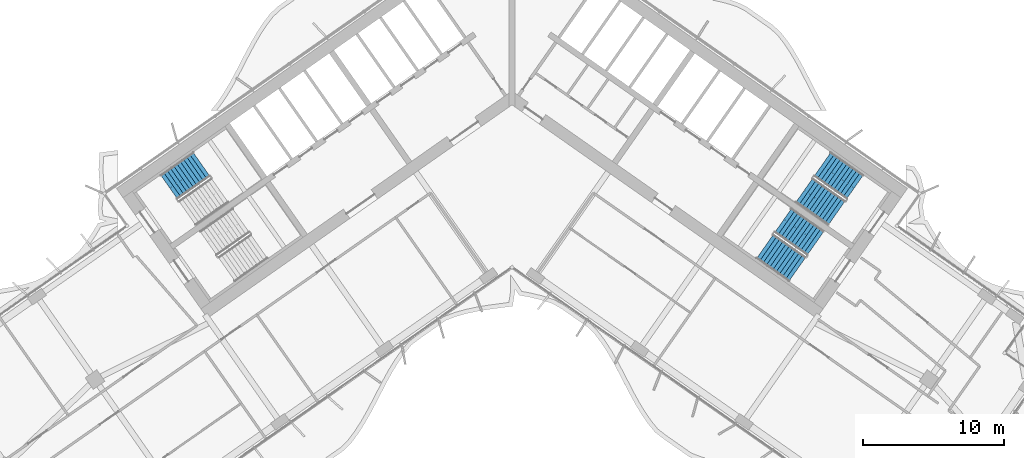
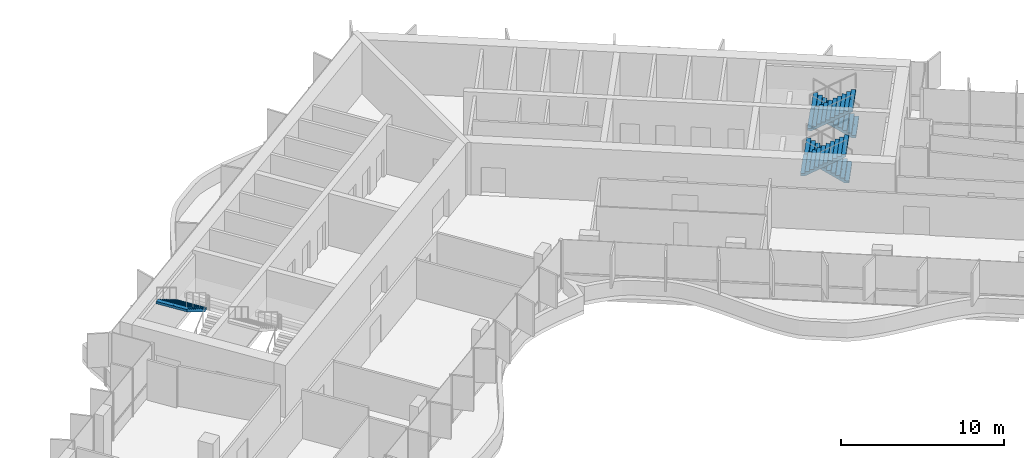
# One storey, part 16 of 21: 5 stair flights, 3 elements without a shape of their own.
"""IFC4 building model written with IfcOpenShell, lengths in metres."""

from ifc_helpers import new_model, si_unit, direction, frame, origin, place, context, subcontext, project, spatial, polyline, outline, extrude, material, type_object, element, aggregate, save


model = new_model("IFC4")

# Units and contexts
model_context = context("Model", 3, precision=1e-05, world=origin(), true_north=direction((0.0, 1.0)))
body_context = subcontext(model_context, "Body", "Model", "MODEL_VIEW")
ifc_project = project(units=[si_unit("LENGTHUNIT", "METRE"), si_unit("AREAUNIT", "SQUARE_METRE"), si_unit("VOLUMEUNIT", "CUBIC_METRE"), si_unit("PLANEANGLEUNIT", "RADIAN"), si_unit("MASSUNIT", "GRAM", prefix="KILO")], contexts=[model_context])

# Site, building, storey
site_placement = place(None, origin())
site = spatial("IfcSite", under=ifc_project, at=site_placement, CompositionType="ELEMENT")
building_placement = place(site_placement, origin())
building = spatial("IfcBuilding", under=site, at=building_placement, Name="Tel Ilan Convention Tower", CompositionType="ELEMENT")
storey_placement = place(building_placement, frame((0.0, 0.0, 151.5)))
storey = spatial("IfcBuildingStorey", under=building, at=storey_placement, Name="L34", CompositionType="ELEMENT", Elevation=151.5)

# Stair, stair flight
ifc_material_1 = material(Name="Concrete C40/50", Category="concrete")
stair_type = type_object("IfcStairType", Name="Pressurised Exit Stair 22 risers 177 mm", PredefinedType="HALF_TURN_STAIR", material=ifc_material_1)
stair_1_placement = place(storey_placement, origin())
stair_1 = element("IfcStair", 1, at=stair_1_placement, inside=storey, type_object=stair_type, Name="L34 Pressurised Stair S1", PredefinedType="HALF_TURN_STAIR")
ifc_material_2 = material(Name="Precast Concrete C40/50", Category="concrete")
stair_flight_type = type_object("IfcStairFlightType", Name="Concrete Stair Flight 2100 mm 22 risers 177 mm", PredefinedType="STRAIGHT", material=ifc_material_2)
stair_flight_1_placement = place(storey_placement, frame((-21.958740234375, -5.42626953125, 1.949951171875), z_axis=(0.0, 0.0, 1.0), x_axis=(-0.819152044289, -0.573576436351, 0.0)))
stair_flight_1 = element("IfcStairFlight", 2, at=stair_flight_1_placement, type_object=stair_flight_type, Name="S1 flight 2", NumberOfRisers=11, NumberOfTreads=10, PredefinedType="STRAIGHT", RiserHeight=0.177272727, TreadLength=0.28, context=body_context, shape_type="SweptSolid", body=[
    extrude(outline(polyline([(0.0, 0.0), (0.0, 0.17724609375), (0.280029296875, 0.17724609375), (0.280029296875, 0.3544921875), (0.56005859375, 0.3544921875), (0.56005859375, 0.53173828125), (0.840087890625, 0.53173828125), (0.840087890625, 0.708984375), (1.1201171875, 0.708984375), (1.1201171875, 0.886474609375), (1.39990234375, 0.886474609375), (1.39990234375, 1.063720703125), (1.679931640625, 1.063720703125), (1.679931640625, 1.240966796875), (1.9599609375, 1.240966796875), (1.9599609375, 1.418212890625), (2.239990234375, 1.418212890625), (2.239990234375, 1.595458984375), (2.52001953125, 1.595458984375), (2.52001953125, 1.772705078125), (2.800048828125, 1.772705078125), (2.800048828125, 1.949951171875), (2.800048828125, 1.59521484375), (0.2802734375, 0.0), (0.0, 0.0)])), frame((0.0, -0.100341796875, 0.0), z_axis=(0.0, -1.0, 0.0), x_axis=(1.0, 0.0, 0.0)), (0.0, 0.0, 1.0), 0.94970703125),
    extrude(outline(polyline([(0.0, 0.0), (0.0, 0.17724609375), (0.280029296875, 0.17724609375), (0.280029296875, 0.3544921875), (0.56005859375, 0.3544921875), (0.56005859375, 0.53173828125), (0.840087890625, 0.53173828125), (0.840087890625, 0.708984375), (1.1201171875, 0.708984375), (1.1201171875, 0.886474609375), (1.39990234375, 0.886474609375), (1.39990234375, 1.063720703125), (1.679931640625, 1.063720703125), (1.679931640625, 1.240966796875), (1.9599609375, 1.240966796875), (1.9599609375, 1.418212890625), (2.239990234375, 1.418212890625), (2.239990234375, 1.595458984375), (2.52001953125, 1.595458984375), (2.52001953125, 1.772705078125), (2.800048828125, 1.772705078125), (2.800048828125, 1.949951171875), (2.800048828125, 1.59521484375), (0.2802734375, 0.0), (0.0, 0.0)])), frame((0.0, -0.000244140625, 0.0), z_axis=(0.0, -1.0, 0.0), x_axis=(1.0, 0.0, 0.0)), (0.0, 0.0, 1.0), 0.099609375),
    extrude(outline(polyline([(0.0, 0.0), (0.0, 0.17724609375), (0.280029296875, 0.17724609375), (0.280029296875, 0.3544921875), (0.56005859375, 0.3544921875), (0.56005859375, 0.53173828125), (0.840087890625, 0.53173828125), (0.840087890625, 0.708984375), (1.1201171875, 0.708984375), (1.1201171875, 0.886474609375), (1.39990234375, 0.886474609375), (1.39990234375, 1.063720703125), (1.679931640625, 1.063720703125), (1.679931640625, 1.240966796875), (1.9599609375, 1.240966796875), (1.9599609375, 1.418212890625), (2.239990234375, 1.418212890625), (2.239990234375, 1.595458984375), (2.52001953125, 1.595458984375), (2.52001953125, 1.772705078125), (2.800048828125, 1.772705078125), (2.800048828125, 1.949951171875), (2.800048828125, 1.59521484375), (0.2802734375, 0.0), (0.0, 0.0)])), frame((0.0, 0.099853515625, 0.0), z_axis=(0.0, -1.0, 0.0), x_axis=(1.0, 0.0, 0.0)), (0.0, 0.0, 1.0), 0.099609375),
    extrude(outline(polyline([(0.0, 0.0), (0.0, 0.17724609375), (0.280029296875, 0.17724609375), (0.280029296875, 0.3544921875), (0.56005859375, 0.3544921875), (0.56005859375, 0.53173828125), (0.840087890625, 0.53173828125), (0.840087890625, 0.708984375), (1.1201171875, 0.708984375), (1.1201171875, 0.886474609375), (1.39990234375, 0.886474609375), (1.39990234375, 1.063720703125), (1.679931640625, 1.063720703125), (1.679931640625, 1.240966796875), (1.9599609375, 1.240966796875), (1.9599609375, 1.418212890625), (2.239990234375, 1.418212890625), (2.239990234375, 1.595458984375), (2.52001953125, 1.595458984375), (2.52001953125, 1.772705078125), (2.800048828125, 1.772705078125), (2.800048828125, 1.949951171875), (2.800048828125, 1.59521484375), (0.2802734375, 0.0), (0.0, 0.0)])), frame((0.0, 1.050048828125, 0.0), z_axis=(0.0, -1.0, 0.0), x_axis=(1.0, 0.0, 0.0)), (0.0, 0.0, 1.0), 0.94970703125),
])
aggregate(stair_1, [stair_flight_1])

# Stair, stair flights
stair_2_placement = place(storey_placement, origin())
stair_2 = element("IfcStair", 3, at=stair_2_placement, inside=storey, type_object=stair_type, Name="L34 Pressurised Stair S3", PredefinedType="HALF_TURN_STAIR")
stair_flight_2_placement = place(storey_placement, frame((24.25244140625, -7.032470703125, 0.0), z_axis=(0.0, 0.0, 1.0), x_axis=(-0.819152044289, 0.573576436351, 0.0)))
stair_flight_2 = element("IfcStairFlight", 4, at=stair_flight_2_placement, type_object=stair_flight_type, Name="S3 flight 1", NumberOfRisers=11, NumberOfTreads=10, PredefinedType="STRAIGHT", RiserHeight=0.177272727, TreadLength=0.28, context=body_context, shape_type="SweptSolid", body=[
    extrude(outline(polyline([(0.0, 0.0), (0.0, 0.17724609375), (0.280029296875, 0.17724609375), (0.280029296875, 0.3544921875), (0.56005859375, 0.3544921875), (0.56005859375, 0.53173828125), (0.840087890625, 0.53173828125), (0.840087890625, 0.708984375), (1.1201171875, 0.708984375), (1.1201171875, 0.886474609375), (1.39990234375, 0.886474609375), (1.39990234375, 1.063720703125), (1.679931640625, 1.063720703125), (1.679931640625, 1.240966796875), (1.9599609375, 1.240966796875), (1.9599609375, 1.418212890625), (2.239990234375, 1.418212890625), (2.239990234375, 1.595458984375), (2.52001953125, 1.595458984375), (2.52001953125, 1.772705078125), (2.800048828125, 1.772705078125), (2.800048828125, 1.949951171875), (2.800048828125, 1.59521484375), (0.2802734375, 0.0), (0.0, 0.0)])), frame((0.0, -0.100341796875, 0.0), z_axis=(0.0, -1.0, 0.0), x_axis=(1.0, 0.0, 0.0)), (0.0, 0.0, 1.0), 0.94970703125),
    extrude(outline(polyline([(0.0, 0.0), (0.0, 0.17724609375), (0.280029296875, 0.17724609375), (0.280029296875, 0.3544921875), (0.56005859375, 0.3544921875), (0.56005859375, 0.53173828125), (0.840087890625, 0.53173828125), (0.840087890625, 0.708984375), (1.1201171875, 0.708984375), (1.1201171875, 0.886474609375), (1.39990234375, 0.886474609375), (1.39990234375, 1.063720703125), (1.679931640625, 1.063720703125), (1.679931640625, 1.240966796875), (1.9599609375, 1.240966796875), (1.9599609375, 1.418212890625), (2.239990234375, 1.418212890625), (2.239990234375, 1.595458984375), (2.52001953125, 1.595458984375), (2.52001953125, 1.772705078125), (2.800048828125, 1.772705078125), (2.800048828125, 1.949951171875), (2.800048828125, 1.59521484375), (0.2802734375, 0.0), (0.0, 0.0)])), frame((0.0, -0.000244140625, 0.0), z_axis=(0.0, -1.0, 0.0), x_axis=(1.0, 0.0, 0.0)), (0.0, 0.0, 1.0), 0.099609375),
    extrude(outline(polyline([(0.0, 0.0), (0.0, 0.17724609375), (0.280029296875, 0.17724609375), (0.280029296875, 0.3544921875), (0.56005859375, 0.3544921875), (0.56005859375, 0.53173828125), (0.840087890625, 0.53173828125), (0.840087890625, 0.708984375), (1.1201171875, 0.708984375), (1.1201171875, 0.886474609375), (1.39990234375, 0.886474609375), (1.39990234375, 1.063720703125), (1.679931640625, 1.063720703125), (1.679931640625, 1.240966796875), (1.9599609375, 1.240966796875), (1.9599609375, 1.418212890625), (2.239990234375, 1.418212890625), (2.239990234375, 1.595458984375), (2.52001953125, 1.595458984375), (2.52001953125, 1.772705078125), (2.800048828125, 1.772705078125), (2.800048828125, 1.949951171875), (2.800048828125, 1.59521484375), (0.2802734375, 0.0), (0.0, 0.0)])), frame((0.0, 0.099853515625, 0.0), z_axis=(0.0, -1.0, 0.0), x_axis=(1.0, 0.0, 0.0)), (0.0, 0.0, 1.0), 0.099609375),
    extrude(outline(polyline([(0.0, 0.0), (0.0, 0.17724609375), (0.280029296875, 0.17724609375), (0.280029296875, 0.3544921875), (0.56005859375, 0.3544921875), (0.56005859375, 0.53173828125), (0.840087890625, 0.53173828125), (0.840087890625, 0.708984375), (1.1201171875, 0.708984375), (1.1201171875, 0.886474609375), (1.39990234375, 0.886474609375), (1.39990234375, 1.063720703125), (1.679931640625, 1.063720703125), (1.679931640625, 1.240966796875), (1.9599609375, 1.240966796875), (1.9599609375, 1.418212890625), (2.239990234375, 1.418212890625), (2.239990234375, 1.595458984375), (2.52001953125, 1.595458984375), (2.52001953125, 1.772705078125), (2.800048828125, 1.772705078125), (2.800048828125, 1.949951171875), (2.800048828125, 1.59521484375), (0.2802734375, 0.0), (0.0, 0.0)])), frame((0.0, 1.050048828125, 0.0), z_axis=(0.0, -1.0, 0.0), x_axis=(1.0, 0.0, 0.0)), (0.0, 0.0, 1.0), 0.94970703125),
])
stair_flight_3_placement = place(storey_placement, frame((20.668212890625, -7.26953125, 1.949951171875), z_axis=(0.0, 0.0, 1.0), x_axis=(0.819152044289, -0.573576436351, 0.0)))
stair_flight_3 = element("IfcStairFlight", 5, at=stair_flight_3_placement, type_object=stair_flight_type, Name="S3 flight 2", NumberOfRisers=11, NumberOfTreads=10, PredefinedType="STRAIGHT", RiserHeight=0.177272727, TreadLength=0.28, context=body_context, shape_type="SweptSolid", body=[
    extrude(outline(polyline([(0.0, 0.0), (0.0, 0.17724609375), (0.280029296875, 0.17724609375), (0.280029296875, 0.3544921875), (0.56005859375, 0.3544921875), (0.56005859375, 0.53173828125), (0.840087890625, 0.53173828125), (0.840087890625, 0.708984375), (1.1201171875, 0.708984375), (1.1201171875, 0.886474609375), (1.39990234375, 0.886474609375), (1.39990234375, 1.063720703125), (1.679931640625, 1.063720703125), (1.679931640625, 1.240966796875), (1.9599609375, 1.240966796875), (1.9599609375, 1.418212890625), (2.239990234375, 1.418212890625), (2.239990234375, 1.595458984375), (2.52001953125, 1.595458984375), (2.52001953125, 1.772705078125), (2.800048828125, 1.772705078125), (2.800048828125, 1.949951171875), (2.800048828125, 1.59521484375), (0.2802734375, 0.0), (0.0, 0.0)])), frame((0.0, -0.100341796875, 0.0), z_axis=(0.0, -1.0, 0.0), x_axis=(1.0, 0.0, 0.0)), (0.0, 0.0, 1.0), 0.94970703125),
    extrude(outline(polyline([(0.0, 0.0), (0.0, 0.17724609375), (0.280029296875, 0.17724609375), (0.280029296875, 0.3544921875), (0.56005859375, 0.3544921875), (0.56005859375, 0.53173828125), (0.840087890625, 0.53173828125), (0.840087890625, 0.708984375), (1.1201171875, 0.708984375), (1.1201171875, 0.886474609375), (1.39990234375, 0.886474609375), (1.39990234375, 1.063720703125), (1.679931640625, 1.063720703125), (1.679931640625, 1.240966796875), (1.9599609375, 1.240966796875), (1.9599609375, 1.418212890625), (2.239990234375, 1.418212890625), (2.239990234375, 1.595458984375), (2.52001953125, 1.595458984375), (2.52001953125, 1.772705078125), (2.800048828125, 1.772705078125), (2.800048828125, 1.949951171875), (2.800048828125, 1.59521484375), (0.2802734375, 0.0), (0.0, 0.0)])), frame((0.0, -0.000244140625, 0.0), z_axis=(0.0, -1.0, 0.0), x_axis=(1.0, 0.0, 0.0)), (0.0, 0.0, 1.0), 0.099609375),
    extrude(outline(polyline([(0.0, 0.0), (0.0, 0.17724609375), (0.280029296875, 0.17724609375), (0.280029296875, 0.3544921875), (0.56005859375, 0.3544921875), (0.56005859375, 0.53173828125), (0.840087890625, 0.53173828125), (0.840087890625, 0.708984375), (1.1201171875, 0.708984375), (1.1201171875, 0.886474609375), (1.39990234375, 0.886474609375), (1.39990234375, 1.063720703125), (1.679931640625, 1.063720703125), (1.679931640625, 1.240966796875), (1.9599609375, 1.240966796875), (1.9599609375, 1.418212890625), (2.239990234375, 1.418212890625), (2.239990234375, 1.595458984375), (2.52001953125, 1.595458984375), (2.52001953125, 1.772705078125), (2.800048828125, 1.772705078125), (2.800048828125, 1.949951171875), (2.800048828125, 1.59521484375), (0.2802734375, 0.0), (0.0, 0.0)])), frame((0.0, 0.099853515625, 0.0), z_axis=(0.0, -1.0, 0.0), x_axis=(1.0, 0.0, 0.0)), (0.0, 0.0, 1.0), 0.099609375),
    extrude(outline(polyline([(0.0, 0.0), (0.0, 0.17724609375), (0.280029296875, 0.17724609375), (0.280029296875, 0.3544921875), (0.56005859375, 0.3544921875), (0.56005859375, 0.53173828125), (0.840087890625, 0.53173828125), (0.840087890625, 0.708984375), (1.1201171875, 0.708984375), (1.1201171875, 0.886474609375), (1.39990234375, 0.886474609375), (1.39990234375, 1.063720703125), (1.679931640625, 1.063720703125), (1.679931640625, 1.240966796875), (1.9599609375, 1.240966796875), (1.9599609375, 1.418212890625), (2.239990234375, 1.418212890625), (2.239990234375, 1.595458984375), (2.52001953125, 1.595458984375), (2.52001953125, 1.772705078125), (2.800048828125, 1.772705078125), (2.800048828125, 1.949951171875), (2.800048828125, 1.59521484375), (0.2802734375, 0.0), (0.0, 0.0)])), frame((0.0, 1.050048828125, 0.0), z_axis=(0.0, -1.0, 0.0), x_axis=(1.0, 0.0, 0.0)), (0.0, 0.0, 1.0), 0.94970703125),
])
aggregate(stair_2, [stair_flight_2, stair_flight_3])

stair_3_placement = place(storey_placement, origin())
stair_3 = element("IfcStair", 6, at=stair_3_placement, inside=storey, type_object=stair_type, Name="L34 Pressurised Stair S4", PredefinedType="HALF_TURN_STAIR")
stair_flight_4_placement = place(storey_placement, frame((21.470458984375, -11.00537109375, 0.0), z_axis=(0.0, 0.0, 1.0), x_axis=(-0.819152044289, 0.573576436351, 0.0)))
stair_flight_4 = element("IfcStairFlight", 7, at=stair_flight_4_placement, type_object=stair_flight_type, Name="S4 flight 1", NumberOfRisers=11, NumberOfTreads=10, PredefinedType="STRAIGHT", RiserHeight=0.177272727, TreadLength=0.28, context=body_context, shape_type="SweptSolid", body=[
    extrude(outline(polyline([(0.0, 0.0), (0.0, 0.17724609375), (0.280029296875, 0.17724609375), (0.280029296875, 0.3544921875), (0.56005859375, 0.3544921875), (0.56005859375, 0.53173828125), (0.840087890625, 0.53173828125), (0.840087890625, 0.708984375), (1.1201171875, 0.708984375), (1.1201171875, 0.886474609375), (1.39990234375, 0.886474609375), (1.39990234375, 1.063720703125), (1.679931640625, 1.063720703125), (1.679931640625, 1.240966796875), (1.9599609375, 1.240966796875), (1.9599609375, 1.418212890625), (2.239990234375, 1.418212890625), (2.239990234375, 1.595458984375), (2.52001953125, 1.595458984375), (2.52001953125, 1.772705078125), (2.800048828125, 1.772705078125), (2.800048828125, 1.949951171875), (2.800048828125, 1.59521484375), (0.2802734375, 0.0), (0.0, 0.0)])), frame((0.0, -0.100341796875, 0.0), z_axis=(0.0, -1.0, 0.0), x_axis=(1.0, 0.0, 0.0)), (0.0, 0.0, 1.0), 0.94970703125),
    extrude(outline(polyline([(0.0, 0.0), (0.0, 0.17724609375), (0.280029296875, 0.17724609375), (0.280029296875, 0.3544921875), (0.56005859375, 0.3544921875), (0.56005859375, 0.53173828125), (0.840087890625, 0.53173828125), (0.840087890625, 0.708984375), (1.1201171875, 0.708984375), (1.1201171875, 0.886474609375), (1.39990234375, 0.886474609375), (1.39990234375, 1.063720703125), (1.679931640625, 1.063720703125), (1.679931640625, 1.240966796875), (1.9599609375, 1.240966796875), (1.9599609375, 1.418212890625), (2.239990234375, 1.418212890625), (2.239990234375, 1.595458984375), (2.52001953125, 1.595458984375), (2.52001953125, 1.772705078125), (2.800048828125, 1.772705078125), (2.800048828125, 1.949951171875), (2.800048828125, 1.59521484375), (0.2802734375, 0.0), (0.0, 0.0)])), frame((0.0, -0.000244140625, 0.0), z_axis=(0.0, -1.0, 0.0), x_axis=(1.0, 0.0, 0.0)), (0.0, 0.0, 1.0), 0.099609375),
    extrude(outline(polyline([(0.0, 0.0), (0.0, 0.17724609375), (0.280029296875, 0.17724609375), (0.280029296875, 0.3544921875), (0.56005859375, 0.3544921875), (0.56005859375, 0.53173828125), (0.840087890625, 0.53173828125), (0.840087890625, 0.708984375), (1.1201171875, 0.708984375), (1.1201171875, 0.886474609375), (1.39990234375, 0.886474609375), (1.39990234375, 1.063720703125), (1.679931640625, 1.063720703125), (1.679931640625, 1.240966796875), (1.9599609375, 1.240966796875), (1.9599609375, 1.418212890625), (2.239990234375, 1.418212890625), (2.239990234375, 1.595458984375), (2.52001953125, 1.595458984375), (2.52001953125, 1.772705078125), (2.800048828125, 1.772705078125), (2.800048828125, 1.949951171875), (2.800048828125, 1.59521484375), (0.2802734375, 0.0), (0.0, 0.0)])), frame((0.0, 0.099853515625, 0.0), z_axis=(0.0, -1.0, 0.0), x_axis=(1.0, 0.0, 0.0)), (0.0, 0.0, 1.0), 0.099609375),
    extrude(outline(polyline([(0.0, 0.0), (0.0, 0.17724609375), (0.280029296875, 0.17724609375), (0.280029296875, 0.3544921875), (0.56005859375, 0.3544921875), (0.56005859375, 0.53173828125), (0.840087890625, 0.53173828125), (0.840087890625, 0.708984375), (1.1201171875, 0.708984375), (1.1201171875, 0.886474609375), (1.39990234375, 0.886474609375), (1.39990234375, 1.063720703125), (1.679931640625, 1.063720703125), (1.679931640625, 1.240966796875), (1.9599609375, 1.240966796875), (1.9599609375, 1.418212890625), (2.239990234375, 1.418212890625), (2.239990234375, 1.595458984375), (2.52001953125, 1.595458984375), (2.52001953125, 1.772705078125), (2.800048828125, 1.772705078125), (2.800048828125, 1.949951171875), (2.800048828125, 1.59521484375), (0.2802734375, 0.0), (0.0, 0.0)])), frame((0.0, 1.050048828125, 0.0), z_axis=(0.0, -1.0, 0.0), x_axis=(1.0, 0.0, 0.0)), (0.0, 0.0, 1.0), 0.94970703125),
])
stair_flight_5_placement = place(storey_placement, frame((17.886474609375, -11.242431640625, 1.949951171875), z_axis=(0.0, 0.0, 1.0), x_axis=(0.819152044289, -0.573576436351, 0.0)))
stair_flight_5 = element("IfcStairFlight", 8, at=stair_flight_5_placement, type_object=stair_flight_type, Name="S4 flight 2", NumberOfRisers=11, NumberOfTreads=10, PredefinedType="STRAIGHT", RiserHeight=0.177272727, TreadLength=0.28, context=body_context, shape_type="SweptSolid", body=[
    extrude(outline(polyline([(0.0, 0.0), (0.0, 0.17724609375), (0.280029296875, 0.17724609375), (0.280029296875, 0.3544921875), (0.56005859375, 0.3544921875), (0.56005859375, 0.53173828125), (0.840087890625, 0.53173828125), (0.840087890625, 0.708984375), (1.1201171875, 0.708984375), (1.1201171875, 0.886474609375), (1.39990234375, 0.886474609375), (1.39990234375, 1.063720703125), (1.679931640625, 1.063720703125), (1.679931640625, 1.240966796875), (1.9599609375, 1.240966796875), (1.9599609375, 1.418212890625), (2.239990234375, 1.418212890625), (2.239990234375, 1.595458984375), (2.52001953125, 1.595458984375), (2.52001953125, 1.772705078125), (2.800048828125, 1.772705078125), (2.800048828125, 1.949951171875), (2.800048828125, 1.59521484375), (0.2802734375, 0.0), (0.0, 0.0)])), frame((0.0, -0.100341796875, 0.0), z_axis=(0.0, -1.0, 0.0), x_axis=(1.0, 0.0, 0.0)), (0.0, 0.0, 1.0), 0.94970703125),
    extrude(outline(polyline([(0.0, 0.0), (0.0, 0.17724609375), (0.280029296875, 0.17724609375), (0.280029296875, 0.3544921875), (0.56005859375, 0.3544921875), (0.56005859375, 0.53173828125), (0.840087890625, 0.53173828125), (0.840087890625, 0.708984375), (1.1201171875, 0.708984375), (1.1201171875, 0.886474609375), (1.39990234375, 0.886474609375), (1.39990234375, 1.063720703125), (1.679931640625, 1.063720703125), (1.679931640625, 1.240966796875), (1.9599609375, 1.240966796875), (1.9599609375, 1.418212890625), (2.239990234375, 1.418212890625), (2.239990234375, 1.595458984375), (2.52001953125, 1.595458984375), (2.52001953125, 1.772705078125), (2.800048828125, 1.772705078125), (2.800048828125, 1.949951171875), (2.800048828125, 1.59521484375), (0.2802734375, 0.0), (0.0, 0.0)])), frame((0.0, -0.000244140625, 0.0), z_axis=(0.0, -1.0, 0.0), x_axis=(1.0, 0.0, 0.0)), (0.0, 0.0, 1.0), 0.099609375),
    extrude(outline(polyline([(0.0, 0.0), (0.0, 0.17724609375), (0.280029296875, 0.17724609375), (0.280029296875, 0.3544921875), (0.56005859375, 0.3544921875), (0.56005859375, 0.53173828125), (0.840087890625, 0.53173828125), (0.840087890625, 0.708984375), (1.1201171875, 0.708984375), (1.1201171875, 0.886474609375), (1.39990234375, 0.886474609375), (1.39990234375, 1.063720703125), (1.679931640625, 1.063720703125), (1.679931640625, 1.240966796875), (1.9599609375, 1.240966796875), (1.9599609375, 1.418212890625), (2.239990234375, 1.418212890625), (2.239990234375, 1.595458984375), (2.52001953125, 1.595458984375), (2.52001953125, 1.772705078125), (2.800048828125, 1.772705078125), (2.800048828125, 1.949951171875), (2.800048828125, 1.59521484375), (0.2802734375, 0.0), (0.0, 0.0)])), frame((0.0, 0.099853515625, 0.0), z_axis=(0.0, -1.0, 0.0), x_axis=(1.0, 0.0, 0.0)), (0.0, 0.0, 1.0), 0.099609375),
    extrude(outline(polyline([(0.0, 0.0), (0.0, 0.17724609375), (0.280029296875, 0.17724609375), (0.280029296875, 0.3544921875), (0.56005859375, 0.3544921875), (0.56005859375, 0.53173828125), (0.840087890625, 0.53173828125), (0.840087890625, 0.708984375), (1.1201171875, 0.708984375), (1.1201171875, 0.886474609375), (1.39990234375, 0.886474609375), (1.39990234375, 1.063720703125), (1.679931640625, 1.063720703125), (1.679931640625, 1.240966796875), (1.9599609375, 1.240966796875), (1.9599609375, 1.418212890625), (2.239990234375, 1.418212890625), (2.239990234375, 1.595458984375), (2.52001953125, 1.595458984375), (2.52001953125, 1.772705078125), (2.800048828125, 1.772705078125), (2.800048828125, 1.949951171875), (2.800048828125, 1.59521484375), (0.2802734375, 0.0), (0.0, 0.0)])), frame((0.0, 1.050048828125, 0.0), z_axis=(0.0, -1.0, 0.0), x_axis=(1.0, 0.0, 0.0)), (0.0, 0.0, 1.0), 0.94970703125),
])
aggregate(stair_3, [stair_flight_4, stair_flight_5])

save(model, "model.ifc")
